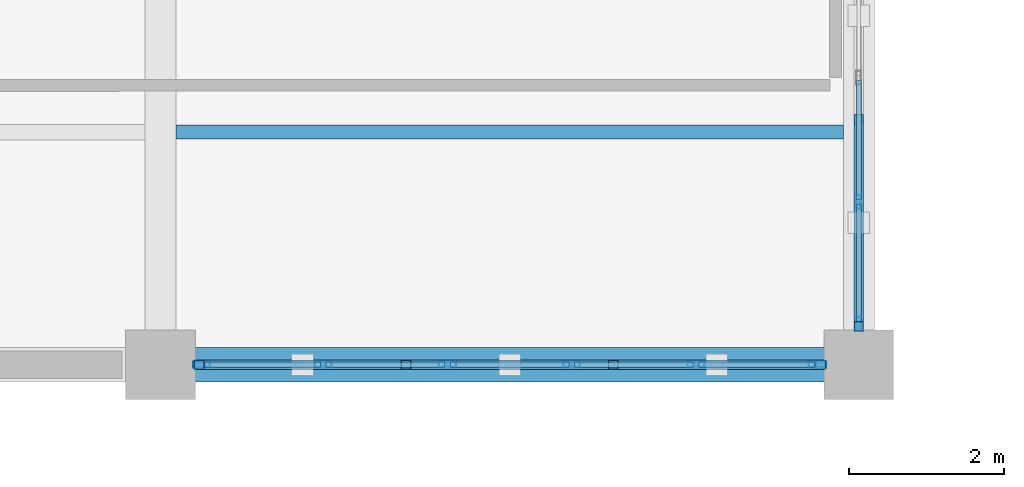
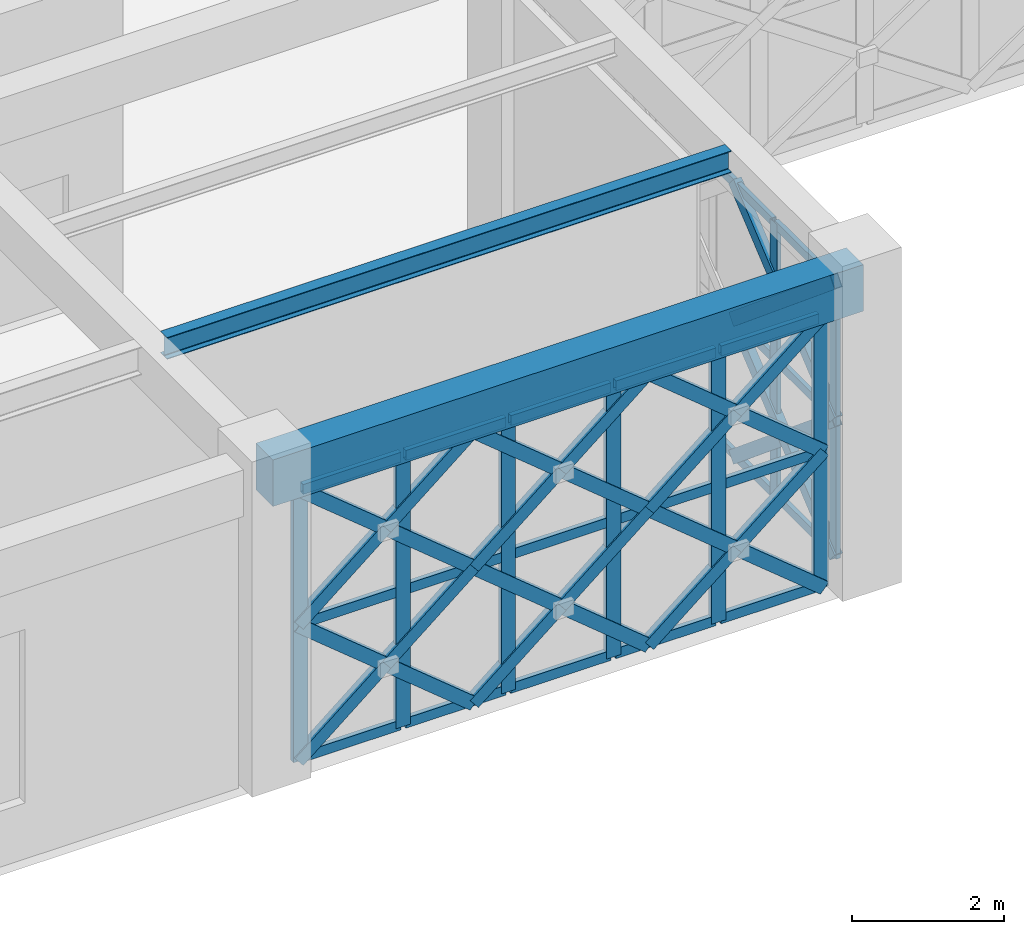
# One storey, part 98 of 166: 53 members, 2 beams, 2 elements without a shape of their own.
"""IFC4 building model written with IfcOpenShell, lengths in metres."""

from ifc_helpers import new_model, si_unit, direction, frame, origin, origin_2d, place, context, subcontext, project, spatial, rectangle, hollow_rectangle, i_section, extrude, material, material_profile, profile_set, type_object, element, aggregate, save


model = new_model("IFC4")

# Units and contexts
model_context = context("Model", 3, precision=1e-05, world=origin(), true_north=direction((0.0, 1.0)))
body_context = subcontext(model_context, "Body", "Model", "MODEL_VIEW")
ifc_project = project(units=[si_unit("LENGTHUNIT", "METRE"), si_unit("AREAUNIT", "SQUARE_METRE"), si_unit("VOLUMEUNIT", "CUBIC_METRE"), si_unit("PLANEANGLEUNIT", "RADIAN"), si_unit("MASSUNIT", "GRAM", prefix="KILO")], contexts=[model_context])

# Site, building, storey
site_placement = place(None, origin())
site = spatial("IfcSite", under=ifc_project, at=site_placement, CompositionType="ELEMENT")
building_placement = place(site_placement, origin())
building = spatial("IfcBuilding", under=site, at=building_placement, Name="Haizhuo Lancet Aquarium", CompositionType="ELEMENT")
storey_placement = place(building_placement, frame((0.0, 0.0, 5.39990234375)))
storey = spatial("IfcBuildingStorey", under=building, at=storey_placement, Name="L01", CompositionType="ELEMENT", Elevation=5.39990234375)

# Beam
ifc_material_1 = material(Name="Concrete C40/50", Category="concrete")
ifc_material_profile_1 = material_profile(ifc_material_1, rectangle(XDim=0.449951171875, YDim=0.75, at=origin_2d()), Name="RC-BM 450x750")
ifc_profile_set_1 = profile_set([ifc_material_profile_1], Name="Concrete C40/50")
beam_type_1 = type_object("IfcBeamType", Name="BM-RC-450x750", PredefinedType="BEAM", material=ifc_profile_set_1)
beam_1_placement = place(storey_placement, frame((63.0, -27.0, 4.76513671875), z_axis=(1.0, 0.0, 0.0), x_axis=(0.0, 1.0, 0.0)))
element("IfcBeam", 1, at=beam_1_placement, inside=storey, type_object=beam_type_1, Name="L01 V3 primary girder BM-L01-V3-023", PredefinedType="BEAM", context=body_context, shape_type="SweptSolid", body=[
    extrude(rectangle(XDim=0.449951171875, YDim=0.75, at=origin_2d()), origin(), (0.0, 0.0, 1.0), 9.0),
])

# Curtain wall, members
ifc_material_2 = material(Name="Aluminium 6063-T6", Category="aluminium")
curtain_wall_type_1 = type_object("IfcCurtainWallType", Name="CWO-8010x4440", PredefinedType="NOTDEFINED", material=ifc_material_2)
curtain_wall_1_placement = place(storey_placement, origin())
curtain_wall_1 = element("IfcCurtainWall", 2, at=curtain_wall_1_placement, inside=storey, type_object=curtain_wall_type_1, Name="L01 curtain wall CW-V3-L01-043", PredefinedType="NOTDEFINED")
ifc_material_profile_2 = material_profile(ifc_material_2, hollow_rectangle(XDim=0.06494140625, YDim=0.179931640625, WallThickness=0.00390625, at=origin_2d()), Name="ALU-M 65x180x4")
ifc_profile_set_2 = profile_set([ifc_material_profile_2], Name="Aluminium 6063-T6")
member_type_1 = type_object("IfcMemberType", Name="CW-MUL-1", PredefinedType="MULLION", material=ifc_profile_set_2)
member_1_placement = place(storey_placement, frame((72.0, -24.903076171875, 0.0), z_axis=(0.0, 0.0, 1.0), x_axis=(1.0, 0.0, 0.0)))
member_1 = element("IfcMember", 3, at=member_1_placement, type_object=member_type_1, Name="CWO-80x44 mullion 5", PredefinedType="MULLION", context=body_context, shape_type="SweptSolid", body=[
    extrude(hollow_rectangle(XDim=0.06494140625, YDim=0.179931640625, WallThickness=0.00390625, at=origin_2d()), origin(), (0.0, 0.0, 1.0), 4.440185546875),
])
member_2_placement = place(storey_placement, frame((72.0, -26.472900390625, 0.0), z_axis=(0.0, 0.0, 1.0), x_axis=(1.0, 0.0, 0.0)))
member_2 = element("IfcMember", 4, at=member_2_placement, type_object=member_type_1, Name="CWO-80x44 mullion 6", PredefinedType="MULLION", context=body_context, shape_type="SweptSolid", body=[
    extrude(hollow_rectangle(XDim=0.06494140625, YDim=0.179931640625, WallThickness=0.00390625, at=origin_2d()), origin(), (0.0, 0.0, 1.0), 4.440185546875),
])

curtain_wall_type_2 = type_object("IfcCurtainWallType", Name="CWO-8010x4390", PredefinedType="NOTDEFINED", material=ifc_material_2)
curtain_wall_2_placement = place(storey_placement, origin())
curtain_wall_2 = element("IfcCurtainWall", 5, at=curtain_wall_2_placement, inside=storey, type_object=curtain_wall_type_2, Name="L01 curtain wall CW-V3-L01-044", PredefinedType="NOTDEFINED")
ifc_material_profile_3 = material_profile(ifc_material_2, hollow_rectangle(XDim=0.074951171875, YDim=0.219970703125, WallThickness=0.0048828125, at=origin_2d()), Name="ALU-M 75x220x5")
ifc_profile_set_3 = profile_set([ifc_material_profile_3], Name="Aluminium 6063-T6")
member_type_2 = type_object("IfcMemberType", Name="CW-MUL-2", PredefinedType="MULLION", material=ifc_profile_set_3)
member_3_placement = place(storey_placement, frame((71.468017578125, -27.0, 0.0), z_axis=(0.0, 0.0, 1.0), x_axis=(0.0, -1.0, 0.0)))
member_3 = element("IfcMember", 6, at=member_3_placement, type_object=member_type_2, Name="CWO-80x43 mullion 1", PredefinedType="MULLION", context=body_context, shape_type="SweptSolid", body=[
    extrude(hollow_rectangle(XDim=0.074951171875, YDim=0.219970703125, WallThickness=0.0048828125, at=origin_2d()), origin(), (0.0, 0.0, 1.0), 4.39013671875),
])
member_4_placement = place(storey_placement, frame((69.903076171875, -27.0, 0.0), z_axis=(0.0, 0.0, 1.0), x_axis=(0.0, -1.0, 0.0)))
member_4 = element("IfcMember", 7, at=member_4_placement, type_object=member_type_2, Name="CWO-80x43 mullion 2", PredefinedType="MULLION", context=body_context, shape_type="SweptSolid", body=[
    extrude(hollow_rectangle(XDim=0.074951171875, YDim=0.219970703125, WallThickness=0.0048828125, at=origin_2d()), origin(), (0.0, 0.0, 1.0), 4.39013671875),
])
member_5_placement = place(storey_placement, frame((68.301025390625, -27.0, 0.0), z_axis=(0.0, 0.0, 1.0), x_axis=(0.0, -1.0, 0.0)))
member_5 = element("IfcMember", 8, at=member_5_placement, type_object=member_type_2, Name="CWO-80x43 mullion 3", PredefinedType="MULLION", context=body_context, shape_type="SweptSolid", body=[
    extrude(hollow_rectangle(XDim=0.074951171875, YDim=0.219970703125, WallThickness=0.0048828125, at=origin_2d()), origin(), (0.0, 0.0, 1.0), 4.39013671875),
])
member_6_placement = place(storey_placement, frame((66.698974609375, -27.0, 0.0), z_axis=(0.0, 0.0, 1.0), x_axis=(0.0, -1.0, 0.0)))
member_6 = element("IfcMember", 9, at=member_6_placement, type_object=member_type_2, Name="CWO-80x43 mullion 4", PredefinedType="MULLION", context=body_context, shape_type="SweptSolid", body=[
    extrude(hollow_rectangle(XDim=0.074951171875, YDim=0.219970703125, WallThickness=0.0048828125, at=origin_2d()), origin(), (0.0, 0.0, 1.0), 4.39013671875),
])
member_7_placement = place(storey_placement, frame((65.096923828125, -27.0, 0.0), z_axis=(0.0, 0.0, 1.0), x_axis=(0.0, -1.0, 0.0)))
member_7 = element("IfcMember", 10, at=member_7_placement, type_object=member_type_2, Name="CWO-80x43 mullion 5", PredefinedType="MULLION", context=body_context, shape_type="SweptSolid", body=[
    extrude(hollow_rectangle(XDim=0.074951171875, YDim=0.219970703125, WallThickness=0.0048828125, at=origin_2d()), origin(), (0.0, 0.0, 1.0), 4.39013671875),
])
member_8_placement = place(storey_placement, frame((63.531982421875, -27.0, 0.0), z_axis=(0.0, 0.0, 1.0), x_axis=(0.0, -1.0, 0.0)))
member_8 = element("IfcMember", 11, at=member_8_placement, type_object=member_type_2, Name="CWO-80x43 mullion 6", PredefinedType="MULLION", context=body_context, shape_type="SweptSolid", body=[
    extrude(hollow_rectangle(XDim=0.074951171875, YDim=0.219970703125, WallThickness=0.0048828125, at=origin_2d()), origin(), (0.0, 0.0, 1.0), 4.39013671875),
])

# Member
ifc_material_profile_4 = material_profile(ifc_material_2, hollow_rectangle(XDim=0.06494140625, YDim=0.139892578125, WallThickness=0.00390625, at=origin_2d()), Name="ALU-T 65x140x4")
ifc_profile_set_4 = profile_set([ifc_material_profile_4], Name="Aluminium 6063-T6")
member_type_3 = type_object("IfcMemberType", Name="CW-TRN-1", PredefinedType="NOTDEFINED", material=ifc_profile_set_4)
member_9_placement = place(storey_placement, frame((72.0, -23.333984375, 0.033203125), z_axis=(0.0, -1.0, 0.0), x_axis=(1.0, 0.0, 0.0)))
member_9 = element("IfcMember", 12, at=member_9_placement, type_object=member_type_3, Name="CWO-80x44 transom 4.1", ObjectType="TRANSOM", PredefinedType="USERDEFINED", context=body_context, shape_type="SweptSolid", body=[
    extrude(hollow_rectangle(XDim=0.06494140625, YDim=0.139892578125, WallThickness=0.00390625, at=origin_2d()), origin(), (0.0, 0.0, 1.0), 1.5361328125),
])

member_10_placement = place(storey_placement, frame((72.0, -23.333984375, 2.22021484375), z_axis=(0.0, -1.0, 0.0), x_axis=(1.0, 0.0, 0.0)))
member_10 = element("IfcMember", 13, at=member_10_placement, type_object=member_type_3, Name="CWO-80x44 transom 4.2", ObjectType="TRANSOM", PredefinedType="USERDEFINED", context=body_context, shape_type="SweptSolid", body=[
    extrude(hollow_rectangle(XDim=0.06494140625, YDim=0.139892578125, WallThickness=0.00390625, at=origin_2d()), origin(), (0.0, 0.0, 1.0), 1.5361328125),
])

member_11_placement = place(storey_placement, frame((72.0, -23.333984375, 4.406982421875), z_axis=(0.0, -1.0, 0.0), x_axis=(1.0, 0.0, 0.0)))
member_11 = element("IfcMember", 14, at=member_11_placement, type_object=member_type_3, Name="CWO-80x44 transom 4.3", ObjectType="TRANSOM", PredefinedType="USERDEFINED", context=body_context, shape_type="SweptSolid", body=[
    extrude(hollow_rectangle(XDim=0.06494140625, YDim=0.139892578125, WallThickness=0.00390625, at=origin_2d()), origin(), (0.0, 0.0, 1.0), 1.5361328125),
])

member_12_placement = place(storey_placement, frame((72.0, -24.93505859375, 0.033203125), z_axis=(0.0, -1.0, 0.0), x_axis=(1.0, 0.0, 0.0)))
member_12 = element("IfcMember", 15, at=member_12_placement, type_object=member_type_3, Name="CWO-80x44 transom 5.1", ObjectType="TRANSOM", PredefinedType="USERDEFINED", context=body_context, shape_type="SweptSolid", body=[
    extrude(hollow_rectangle(XDim=0.06494140625, YDim=0.139892578125, WallThickness=0.00390625, at=origin_2d()), origin(), (0.0, 0.0, 1.0), 1.5048828125),
])

member_13_placement = place(storey_placement, frame((72.0, -24.93505859375, 2.22021484375), z_axis=(0.0, -1.0, 0.0), x_axis=(1.0, 0.0, 0.0)))
member_13 = element("IfcMember", 16, at=member_13_placement, type_object=member_type_3, Name="CWO-80x44 transom 5.2", ObjectType="TRANSOM", PredefinedType="USERDEFINED", context=body_context, shape_type="SweptSolid", body=[
    extrude(hollow_rectangle(XDim=0.06494140625, YDim=0.139892578125, WallThickness=0.00390625, at=origin_2d()), origin(), (0.0, 0.0, 1.0), 1.5048828125),
])

member_14_placement = place(storey_placement, frame((72.0, -24.93505859375, 4.406982421875), z_axis=(0.0, -1.0, 0.0), x_axis=(1.0, 0.0, 0.0)))
member_14 = element("IfcMember", 17, at=member_14_placement, type_object=member_type_3, Name="CWO-80x44 transom 5.3", ObjectType="TRANSOM", PredefinedType="USERDEFINED", context=body_context, shape_type="SweptSolid", body=[
    extrude(hollow_rectangle(XDim=0.06494140625, YDim=0.139892578125, WallThickness=0.00390625, at=origin_2d()), origin(), (0.0, 0.0, 1.0), 1.5048828125),
])

aggregate(curtain_wall_1, [member_1, member_2, member_9, member_10, member_11, member_12, member_13, member_14])

ifc_material_profile_5 = material_profile(ifc_material_2, hollow_rectangle(XDim=0.074951171875, YDim=0.159912109375, WallThickness=0.00390625, at=origin_2d()), Name="ALU-T 75x160x4")
ifc_profile_set_5 = profile_set([ifc_material_profile_5], Name="Aluminium 6063-T6")
member_type_4 = type_object("IfcMemberType", Name="CW-TRN-2", PredefinedType="NOTDEFINED", material=ifc_profile_set_5)
member_15_placement = place(storey_placement, frame((71.429931640625, -27.0, 0.0380859375), z_axis=(-1.0, 0.0, 0.0), x_axis=(0.0, -1.0, 0.0)))
member_15 = element("IfcMember", 18, at=member_15_placement, type_object=member_type_4, Name="CWO-80x43 transom 1.1", ObjectType="TRANSOM", PredefinedType="USERDEFINED", context=body_context, shape_type="SweptSolid", body=[
    extrude(hollow_rectangle(XDim=0.074951171875, YDim=0.159912109375, WallThickness=0.00390625, at=origin_2d()), origin(), (0.0, 0.0, 1.0), 1.489013671875),
])

member_16_placement = place(storey_placement, frame((71.429931640625, -27.0, 2.195068359375), z_axis=(-1.0, 0.0, 0.0), x_axis=(0.0, -1.0, 0.0)))
member_16 = element("IfcMember", 19, at=member_16_placement, type_object=member_type_4, Name="CWO-80x43 transom 1.2", ObjectType="TRANSOM", PredefinedType="USERDEFINED", context=body_context, shape_type="SweptSolid", body=[
    extrude(hollow_rectangle(XDim=0.074951171875, YDim=0.159912109375, WallThickness=0.00390625, at=origin_2d()), origin(), (0.0, 0.0, 1.0), 1.489013671875),
])

member_17_placement = place(storey_placement, frame((71.429931640625, -27.0, 4.35205078125), z_axis=(-1.0, 0.0, 0.0), x_axis=(0.0, -1.0, 0.0)))
member_17 = element("IfcMember", 20, at=member_17_placement, type_object=member_type_4, Name="CWO-80x43 transom 1.3", ObjectType="TRANSOM", PredefinedType="USERDEFINED", context=body_context, shape_type="SweptSolid", body=[
    extrude(hollow_rectangle(XDim=0.074951171875, YDim=0.159912109375, WallThickness=0.00390625, at=origin_2d()), origin(), (0.0, 0.0, 1.0), 1.489013671875),
])

member_18_placement = place(storey_placement, frame((69.864990234375, -27.0, 0.0380859375), z_axis=(-1.0, 0.0, 0.0), x_axis=(0.0, -1.0, 0.0)))
member_18 = element("IfcMember", 21, at=member_18_placement, type_object=member_type_4, Name="CWO-80x43 transom 2.1", ObjectType="TRANSOM", PredefinedType="USERDEFINED", context=body_context, shape_type="SweptSolid", body=[
    extrude(hollow_rectangle(XDim=0.074951171875, YDim=0.159912109375, WallThickness=0.00390625, at=origin_2d()), origin(), (0.0, 0.0, 1.0), 1.527099609375),
])

member_19_placement = place(storey_placement, frame((69.864990234375, -27.0, 2.195068359375), z_axis=(-1.0, 0.0, 0.0), x_axis=(0.0, -1.0, 0.0)))
member_19 = element("IfcMember", 22, at=member_19_placement, type_object=member_type_4, Name="CWO-80x43 transom 2.2", ObjectType="TRANSOM", PredefinedType="USERDEFINED", context=body_context, shape_type="SweptSolid", body=[
    extrude(hollow_rectangle(XDim=0.074951171875, YDim=0.159912109375, WallThickness=0.00390625, at=origin_2d()), origin(), (0.0, 0.0, 1.0), 1.527099609375),
])

member_20_placement = place(storey_placement, frame((69.864990234375, -27.0, 4.35205078125), z_axis=(-1.0, 0.0, 0.0), x_axis=(0.0, -1.0, 0.0)))
member_20 = element("IfcMember", 23, at=member_20_placement, type_object=member_type_4, Name="CWO-80x43 transom 2.3", ObjectType="TRANSOM", PredefinedType="USERDEFINED", context=body_context, shape_type="SweptSolid", body=[
    extrude(hollow_rectangle(XDim=0.074951171875, YDim=0.159912109375, WallThickness=0.00390625, at=origin_2d()), origin(), (0.0, 0.0, 1.0), 1.527099609375),
])

member_21_placement = place(storey_placement, frame((68.262939453125, -27.0, 0.0380859375), z_axis=(-1.0, 0.0, 0.0), x_axis=(0.0, -1.0, 0.0)))
member_21 = element("IfcMember", 24, at=member_21_placement, type_object=member_type_4, Name="CWO-80x43 transom 3.1", ObjectType="TRANSOM", PredefinedType="USERDEFINED", context=body_context, shape_type="SweptSolid", body=[
    extrude(hollow_rectangle(XDim=0.074951171875, YDim=0.159912109375, WallThickness=0.00390625, at=origin_2d()), origin(), (0.0, 0.0, 1.0), 1.52685546875),
])

member_22_placement = place(storey_placement, frame((68.262939453125, -27.0, 2.195068359375), z_axis=(-1.0, 0.0, 0.0), x_axis=(0.0, -1.0, 0.0)))
member_22 = element("IfcMember", 25, at=member_22_placement, type_object=member_type_4, Name="CWO-80x43 transom 3.2", ObjectType="TRANSOM", PredefinedType="USERDEFINED", context=body_context, shape_type="SweptSolid", body=[
    extrude(hollow_rectangle(XDim=0.074951171875, YDim=0.159912109375, WallThickness=0.00390625, at=origin_2d()), origin(), (0.0, 0.0, 1.0), 1.52685546875),
])

member_23_placement = place(storey_placement, frame((68.262939453125, -27.0, 4.35205078125), z_axis=(-1.0, 0.0, 0.0), x_axis=(0.0, -1.0, 0.0)))
member_23 = element("IfcMember", 26, at=member_23_placement, type_object=member_type_4, Name="CWO-80x43 transom 3.3", ObjectType="TRANSOM", PredefinedType="USERDEFINED", context=body_context, shape_type="SweptSolid", body=[
    extrude(hollow_rectangle(XDim=0.074951171875, YDim=0.159912109375, WallThickness=0.00390625, at=origin_2d()), origin(), (0.0, 0.0, 1.0), 1.52685546875),
])

member_24_placement = place(storey_placement, frame((66.660888671875, -27.0, 0.0380859375), z_axis=(-1.0, 0.0, 0.0), x_axis=(0.0, -1.0, 0.0)))
member_24 = element("IfcMember", 27, at=member_24_placement, type_object=member_type_4, Name="CWO-80x43 transom 4.1", ObjectType="TRANSOM", PredefinedType="USERDEFINED", context=body_context, shape_type="SweptSolid", body=[
    extrude(hollow_rectangle(XDim=0.074951171875, YDim=0.159912109375, WallThickness=0.00390625, at=origin_2d()), origin(), (0.0, 0.0, 1.0), 1.52587890625),
])

member_25_placement = place(storey_placement, frame((66.660888671875, -27.0, 2.195068359375), z_axis=(-1.0, 0.0, 0.0), x_axis=(0.0, -1.0, 0.0)))
member_25 = element("IfcMember", 28, at=member_25_placement, type_object=member_type_4, Name="CWO-80x43 transom 4.2", ObjectType="TRANSOM", PredefinedType="USERDEFINED", context=body_context, shape_type="SweptSolid", body=[
    extrude(hollow_rectangle(XDim=0.074951171875, YDim=0.159912109375, WallThickness=0.00390625, at=origin_2d()), origin(), (0.0, 0.0, 1.0), 1.52587890625),
])

member_26_placement = place(storey_placement, frame((66.660888671875, -27.0, 4.35205078125), z_axis=(-1.0, 0.0, 0.0), x_axis=(0.0, -1.0, 0.0)))
member_26 = element("IfcMember", 29, at=member_26_placement, type_object=member_type_4, Name="CWO-80x43 transom 4.3", ObjectType="TRANSOM", PredefinedType="USERDEFINED", context=body_context, shape_type="SweptSolid", body=[
    extrude(hollow_rectangle(XDim=0.074951171875, YDim=0.159912109375, WallThickness=0.00390625, at=origin_2d()), origin(), (0.0, 0.0, 1.0), 1.52587890625),
])

member_27_placement = place(storey_placement, frame((65.05908203125, -27.0, 0.0380859375), z_axis=(-1.0, 0.0, 0.0), x_axis=(0.0, -1.0, 0.0)))
member_27 = element("IfcMember", 30, at=member_27_placement, type_object=member_type_4, Name="CWO-80x43 transom 5.1", ObjectType="TRANSOM", PredefinedType="USERDEFINED", context=body_context, shape_type="SweptSolid", body=[
    extrude(hollow_rectangle(XDim=0.074951171875, YDim=0.159912109375, WallThickness=0.00390625, at=origin_2d()), origin(), (0.0, 0.0, 1.0), 1.489013671875),
])

member_28_placement = place(storey_placement, frame((65.05908203125, -27.0, 2.195068359375), z_axis=(-1.0, 0.0, 0.0), x_axis=(0.0, -1.0, 0.0)))
member_28 = element("IfcMember", 31, at=member_28_placement, type_object=member_type_4, Name="CWO-80x43 transom 5.2", ObjectType="TRANSOM", PredefinedType="USERDEFINED", context=body_context, shape_type="SweptSolid", body=[
    extrude(hollow_rectangle(XDim=0.074951171875, YDim=0.159912109375, WallThickness=0.00390625, at=origin_2d()), origin(), (0.0, 0.0, 1.0), 1.489013671875),
])

member_29_placement = place(storey_placement, frame((65.05908203125, -27.0, 4.35205078125), z_axis=(-1.0, 0.0, 0.0), x_axis=(0.0, -1.0, 0.0)))
member_29 = element("IfcMember", 32, at=member_29_placement, type_object=member_type_4, Name="CWO-80x43 transom 5.3", ObjectType="TRANSOM", PredefinedType="USERDEFINED", context=body_context, shape_type="SweptSolid", body=[
    extrude(hollow_rectangle(XDim=0.074951171875, YDim=0.159912109375, WallThickness=0.00390625, at=origin_2d()), origin(), (0.0, 0.0, 1.0), 1.489013671875),
])

aggregate(curtain_wall_2, [member_3, member_4, member_5, member_6, member_7, member_8, member_15, member_16, member_17, member_18, member_19, member_20, member_21, member_22, member_23, member_24, member_25, member_26, member_27, member_28, member_29])

# Beam
ifc_material_3 = material(Name="Steel S355", Category="steel")
ifc_material_profile_6 = material_profile(ifc_material_3, i_section(OverallWidth=0.175048828125, OverallDepth=0.35009765625, WebThickness=0.007080078125, FlangeThickness=0.010986328125, FilletRadius=0.013916015625, at=origin_2d()), Name="HN 350x175x7x11")
ifc_profile_set_6 = profile_set([ifc_material_profile_6], Name="Steel S355")
beam_type_2 = type_object("IfcBeamType", Name="JST-ST-HN350", PredefinedType="JOIST", material=ifc_profile_set_6)
beam_2_placement = place(storey_placement, frame((63.199951171875, -24.0, 4.965087890625), z_axis=(1.0, 0.0, 0.0), x_axis=(0.0, 1.0, 0.0)))
element("IfcBeam", 33, at=beam_2_placement, inside=storey, type_object=beam_type_2, Name="L01 V3 secondary floor joist 11", PredefinedType="JOIST", context=body_context, shape_type="SweptSolid", body=[
    extrude(i_section(OverallWidth=0.175048828125, OverallDepth=0.35009765625, WebThickness=0.007080078125, FlangeThickness=0.010986328125, FilletRadius=0.013916015625, at=origin_2d()), origin(), (0.0, 0.0, 1.0), 8.60009765625),
])

# Members
ifc_material_profile_7 = material_profile(ifc_material_3, hollow_rectangle(XDim=0.1201171875, YDim=0.199951171875, WallThickness=0.008056640625, at=origin_2d()), Name="RHS 120x200x8")
ifc_profile_set_7 = profile_set([ifc_material_profile_7], Name="Steel S355")
member_type_5 = type_object("IfcMemberType", Name="MEM-LB-RHS120x200", PredefinedType="BRACE", material=ifc_profile_set_7)
member_30_placement = place(storey_placement, frame((72.0, -23.8349609375, 0.0), z_axis=(0.0, -0.768889363983, 0.63938184675), x_axis=(1.0, 0.0, 0.0)))
element("IfcMember", 34, at=member_30_placement, inside=storey, type_object=member_type_5, Name="Gothic lancet continuous diagonal brace CW-V3-L01-043 5A", PredefinedType="BRACE", context=body_context, shape_type="SweptSolid", body=[
    extrude(hollow_rectangle(XDim=0.1201171875, YDim=0.199951171875, WallThickness=0.008056640625, at=origin_2d()), origin(), (0.0, 0.0, 1.0), 3.472412109375),
])
for number, where, z_axis, x_axis, name in (
    (35, (72.0, -26.5048828125, 0.0), (0.0, 0.768889363983, 0.63938184675), (-1.0, 0.0, 0.0), "Gothic lancet split diagonal brace CW-V3-L01-043 5B1"),
    (36, (72.0, -25.169921875, 1.110107421875), (0.0, 0.768889363983, 0.63938184675), (-1.0, 0.0, 0.0), "Gothic lancet split diagonal brace CW-V3-L01-043 5B2"),
):
    element("IfcMember", number, at=place(storey_placement, frame(where, z_axis=z_axis, x_axis=x_axis)), inside=storey, type_object=member_type_5, Name=name, PredefinedType="BRACE", context=body_context, shape_type="SweptSolid", body=[
        extrude(hollow_rectangle(XDim=0.1201171875, YDim=0.199951171875, WallThickness=0.008056640625, at=origin_2d()), origin(), (0.0, 0.0, 1.0), 1.736328125),
    ])
member_31_placement = place(storey_placement, frame((72.0, -23.8349609375, 2.22021484375), z_axis=(0.0, -0.768923928852, 0.639340278443), x_axis=(1.0, 0.0, 0.0)))
element("IfcMember", 37, at=member_31_placement, inside=storey, type_object=member_type_5, Name="Gothic lancet continuous diagonal brace CW-V3-L01-043 6A", PredefinedType="BRACE", context=body_context, shape_type="SweptSolid", body=[
    extrude(hollow_rectangle(XDim=0.1201171875, YDim=0.199951171875, WallThickness=0.008056640625, at=origin_2d()), origin(), (0.0, 0.0, 1.0), 3.47216796875),
])
member_32_placement = place(storey_placement, frame((72.0, -26.5048828125, 2.22021484375), z_axis=(0.0, 0.768958494581, 0.639298704529), x_axis=(-1.0, 0.0, 0.0)))
element("IfcMember", 38, at=member_32_placement, inside=storey, type_object=member_type_5, Name="Gothic lancet split diagonal brace CW-V3-L01-043 6B1", PredefinedType="BRACE", context=body_context, shape_type="SweptSolid", body=[
    extrude(hollow_rectangle(XDim=0.1201171875, YDim=0.199951171875, WallThickness=0.008056640625, at=origin_2d()), origin(), (0.0, 0.0, 1.0), 1.736083984375),
])
member_33_placement = place(storey_placement, frame((72.0, -25.169921875, 3.330078125), z_axis=(0.0, 0.768889363983, 0.63938184675), x_axis=(-1.0, 0.0, 0.0)))
element("IfcMember", 39, at=member_33_placement, inside=storey, type_object=member_type_5, Name="Gothic lancet split diagonal brace CW-V3-L01-043 6B2", PredefinedType="BRACE", context=body_context, shape_type="SweptSolid", body=[
    extrude(hollow_rectangle(XDim=0.1201171875, YDim=0.199951171875, WallThickness=0.008056640625, at=origin_2d()), origin(), (0.0, 0.0, 1.0), 1.736328125),
])
member_34_placement = place(storey_placement, frame((71.5048828125, -27.0, 0.0), z_axis=(-0.772453976084, 0.0, 0.635070747895), x_axis=(0.0, -1.0, 0.0)))
element("IfcMember", 40, at=member_34_placement, inside=storey, type_object=member_type_5, Name="Gothic lancet continuous diagonal brace CW-V3-L01-044 1A", PredefinedType="BRACE", context=body_context, shape_type="SweptSolid", body=[
    extrude(hollow_rectangle(XDim=0.1201171875, YDim=0.199951171875, WallThickness=0.008056640625, at=origin_2d()), origin(), (0.0, 0.0, 1.0), 3.456298828125),
])
member_35_placement = place(storey_placement, frame((68.8349609375, -27.0, 0.0), z_axis=(0.772280733977, 0.0, 0.635281408454), x_axis=(0.0, 1.0, 0.0)))
element("IfcMember", 41, at=member_35_placement, inside=storey, type_object=member_type_5, Name="Gothic lancet split diagonal brace CW-V3-L01-044 1B1", PredefinedType="BRACE", context=body_context, shape_type="SweptSolid", body=[
    extrude(hollow_rectangle(XDim=0.1201171875, YDim=0.199951171875, WallThickness=0.008056640625, at=origin_2d()), origin(), (0.0, 0.0, 1.0), 1.728515625),
])
member_36_placement = place(storey_placement, frame((70.169921875, -27.0, 1.09814453125), z_axis=(0.772627238419, 0.0, 0.634859945541), x_axis=(0.0, 1.0, 0.0)))
element("IfcMember", 42, at=member_36_placement, inside=storey, type_object=member_type_5, Name="Gothic lancet split diagonal brace CW-V3-L01-044 1B2", PredefinedType="BRACE", context=body_context, shape_type="SweptSolid", body=[
    extrude(hollow_rectangle(XDim=0.1201171875, YDim=0.199951171875, WallThickness=0.008056640625, at=origin_2d()), origin(), (0.0, 0.0, 1.0), 1.727783203125),
])
member_37_placement = place(storey_placement, frame((71.5048828125, -27.0, 2.195068359375), z_axis=(-0.772453976084, 0.0, 0.635070747895), x_axis=(0.0, -1.0, 0.0)))
element("IfcMember", 43, at=member_37_placement, inside=storey, type_object=member_type_5, Name="Gothic lancet continuous diagonal brace CW-V3-L01-044 2A", PredefinedType="BRACE", context=body_context, shape_type="SweptSolid", body=[
    extrude(hollow_rectangle(XDim=0.1201171875, YDim=0.199951171875, WallThickness=0.008056640625, at=origin_2d()), origin(), (0.0, 0.0, 1.0), 3.456298828125),
])
member_38_placement = place(storey_placement, frame((68.8349609375, -27.0, 2.195068359375), z_axis=(0.772627238419, 0.0, 0.634859945541), x_axis=(0.0, 1.0, 0.0)))
element("IfcMember", 44, at=member_38_placement, inside=storey, type_object=member_type_5, Name="Gothic lancet split diagonal brace CW-V3-L01-044 2B1", PredefinedType="BRACE", context=body_context, shape_type="SweptSolid", body=[
    extrude(hollow_rectangle(XDim=0.1201171875, YDim=0.199951171875, WallThickness=0.008056640625, at=origin_2d()), origin(), (0.0, 0.0, 1.0), 1.727783203125),
])
member_39_placement = place(storey_placement, frame((70.169921875, -27.0, 3.2919921875), z_axis=(0.772280733977, 0.0, 0.635281408454), x_axis=(0.0, 1.0, 0.0)))
element("IfcMember", 45, at=member_39_placement, inside=storey, type_object=member_type_5, Name="Gothic lancet split diagonal brace CW-V3-L01-044 2B2", PredefinedType="BRACE", context=body_context, shape_type="SweptSolid", body=[
    extrude(hollow_rectangle(XDim=0.1201171875, YDim=0.199951171875, WallThickness=0.008056640625, at=origin_2d()), origin(), (0.0, 0.0, 1.0), 1.728515625),
])
member_40_placement = place(storey_placement, frame((68.8349609375, -27.0, 0.0), z_axis=(-0.772453976084, 0.0, 0.635070747895), x_axis=(0.0, -1.0, 0.0)))
element("IfcMember", 46, at=member_40_placement, inside=storey, type_object=member_type_5, Name="Gothic lancet continuous diagonal brace CW-V3-L01-044 3A", PredefinedType="BRACE", context=body_context, shape_type="SweptSolid", body=[
    extrude(hollow_rectangle(XDim=0.1201171875, YDim=0.199951171875, WallThickness=0.008056640625, at=origin_2d()), origin(), (0.0, 0.0, 1.0), 3.456298828125),
])
member_41_placement = place(storey_placement, frame((66.1650390625, -27.0, 0.0), z_axis=(0.772280733977, 0.0, 0.635281408454), x_axis=(0.0, 1.0, 0.0)))
element("IfcMember", 47, at=member_41_placement, inside=storey, type_object=member_type_5, Name="Gothic lancet split diagonal brace CW-V3-L01-044 3B1", PredefinedType="BRACE", context=body_context, shape_type="SweptSolid", body=[
    extrude(hollow_rectangle(XDim=0.1201171875, YDim=0.199951171875, WallThickness=0.008056640625, at=origin_2d()), origin(), (0.0, 0.0, 1.0), 1.728515625),
])
member_42_placement = place(storey_placement, frame((67.5, -27.0, 1.09814453125), z_axis=(0.772627238419, 0.0, 0.634859945541), x_axis=(0.0, 1.0, 0.0)))
element("IfcMember", 48, at=member_42_placement, inside=storey, type_object=member_type_5, Name="Gothic lancet split diagonal brace CW-V3-L01-044 3B2", PredefinedType="BRACE", context=body_context, shape_type="SweptSolid", body=[
    extrude(hollow_rectangle(XDim=0.1201171875, YDim=0.199951171875, WallThickness=0.008056640625, at=origin_2d()), origin(), (0.0, 0.0, 1.0), 1.727783203125),
])
member_43_placement = place(storey_placement, frame((68.8349609375, -27.0, 2.195068359375), z_axis=(-0.772453976084, 0.0, 0.635070747895), x_axis=(0.0, -1.0, 0.0)))
element("IfcMember", 49, at=member_43_placement, inside=storey, type_object=member_type_5, Name="Gothic lancet continuous diagonal brace CW-V3-L01-044 4A", PredefinedType="BRACE", context=body_context, shape_type="SweptSolid", body=[
    extrude(hollow_rectangle(XDim=0.1201171875, YDim=0.199951171875, WallThickness=0.008056640625, at=origin_2d()), origin(), (0.0, 0.0, 1.0), 3.456298828125),
])
member_44_placement = place(storey_placement, frame((66.1650390625, -27.0, 2.195068359375), z_axis=(0.772627238419, 0.0, 0.634859945541), x_axis=(0.0, 1.0, 0.0)))
element("IfcMember", 50, at=member_44_placement, inside=storey, type_object=member_type_5, Name="Gothic lancet split diagonal brace CW-V3-L01-044 4B1", PredefinedType="BRACE", context=body_context, shape_type="SweptSolid", body=[
    extrude(hollow_rectangle(XDim=0.1201171875, YDim=0.199951171875, WallThickness=0.008056640625, at=origin_2d()), origin(), (0.0, 0.0, 1.0), 1.727783203125),
])
member_45_placement = place(storey_placement, frame((67.5, -27.0, 3.2919921875), z_axis=(0.772280733977, 0.0, 0.635281408454), x_axis=(0.0, 1.0, 0.0)))
element("IfcMember", 51, at=member_45_placement, inside=storey, type_object=member_type_5, Name="Gothic lancet split diagonal brace CW-V3-L01-044 4B2", PredefinedType="BRACE", context=body_context, shape_type="SweptSolid", body=[
    extrude(hollow_rectangle(XDim=0.1201171875, YDim=0.199951171875, WallThickness=0.008056640625, at=origin_2d()), origin(), (0.0, 0.0, 1.0), 1.728515625),
])
member_46_placement = place(storey_placement, frame((66.1650390625, -27.0, 0.0), z_axis=(-0.772453976084, 0.0, 0.635070747895), x_axis=(0.0, -1.0, 0.0)))
element("IfcMember", 52, at=member_46_placement, inside=storey, type_object=member_type_5, Name="Gothic lancet continuous diagonal brace CW-V3-L01-044 5A", PredefinedType="BRACE", context=body_context, shape_type="SweptSolid", body=[
    extrude(hollow_rectangle(XDim=0.1201171875, YDim=0.199951171875, WallThickness=0.008056640625, at=origin_2d()), origin(), (0.0, 0.0, 1.0), 3.456298828125),
])
member_47_placement = place(storey_placement, frame((63.4951171875, -27.0, 0.0), z_axis=(0.772280733977, 0.0, 0.635281408454), x_axis=(0.0, 1.0, 0.0)))
element("IfcMember", 53, at=member_47_placement, inside=storey, type_object=member_type_5, Name="Gothic lancet split diagonal brace CW-V3-L01-044 5B1", PredefinedType="BRACE", context=body_context, shape_type="SweptSolid", body=[
    extrude(hollow_rectangle(XDim=0.1201171875, YDim=0.199951171875, WallThickness=0.008056640625, at=origin_2d()), origin(), (0.0, 0.0, 1.0), 1.728515625),
])
member_48_placement = place(storey_placement, frame((64.830078125, -27.0, 1.09814453125), z_axis=(0.772627238419, 0.0, 0.634859945541), x_axis=(0.0, 1.0, 0.0)))
element("IfcMember", 54, at=member_48_placement, inside=storey, type_object=member_type_5, Name="Gothic lancet split diagonal brace CW-V3-L01-044 5B2", PredefinedType="BRACE", context=body_context, shape_type="SweptSolid", body=[
    extrude(hollow_rectangle(XDim=0.1201171875, YDim=0.199951171875, WallThickness=0.008056640625, at=origin_2d()), origin(), (0.0, 0.0, 1.0), 1.727783203125),
])
member_49_placement = place(storey_placement, frame((66.1650390625, -27.0, 2.195068359375), z_axis=(-0.772453976084, 0.0, 0.635070747895), x_axis=(0.0, -1.0, 0.0)))
element("IfcMember", 55, at=member_49_placement, inside=storey, type_object=member_type_5, Name="Gothic lancet continuous diagonal brace CW-V3-L01-044 6A", PredefinedType="BRACE", context=body_context, shape_type="SweptSolid", body=[
    extrude(hollow_rectangle(XDim=0.1201171875, YDim=0.199951171875, WallThickness=0.008056640625, at=origin_2d()), origin(), (0.0, 0.0, 1.0), 3.456298828125),
])
member_50_placement = place(storey_placement, frame((63.4951171875, -27.0, 2.195068359375), z_axis=(0.772627238419, 0.0, 0.634859945541), x_axis=(0.0, 1.0, 0.0)))
element("IfcMember", 56, at=member_50_placement, inside=storey, type_object=member_type_5, Name="Gothic lancet split diagonal brace CW-V3-L01-044 6B1", PredefinedType="BRACE", context=body_context, shape_type="SweptSolid", body=[
    extrude(hollow_rectangle(XDim=0.1201171875, YDim=0.199951171875, WallThickness=0.008056640625, at=origin_2d()), origin(), (0.0, 0.0, 1.0), 1.727783203125),
])
member_51_placement = place(storey_placement, frame((64.830078125, -27.0, 3.2919921875), z_axis=(0.772280733977, 0.0, 0.635281408454), x_axis=(0.0, 1.0, 0.0)))
element("IfcMember", 57, at=member_51_placement, inside=storey, type_object=member_type_5, Name="Gothic lancet split diagonal brace CW-V3-L01-044 6B2", PredefinedType="BRACE", context=body_context, shape_type="SweptSolid", body=[
    extrude(hollow_rectangle(XDim=0.1201171875, YDim=0.199951171875, WallThickness=0.008056640625, at=origin_2d()), origin(), (0.0, 0.0, 1.0), 1.728515625),
])

save(model, "model.ifc")
